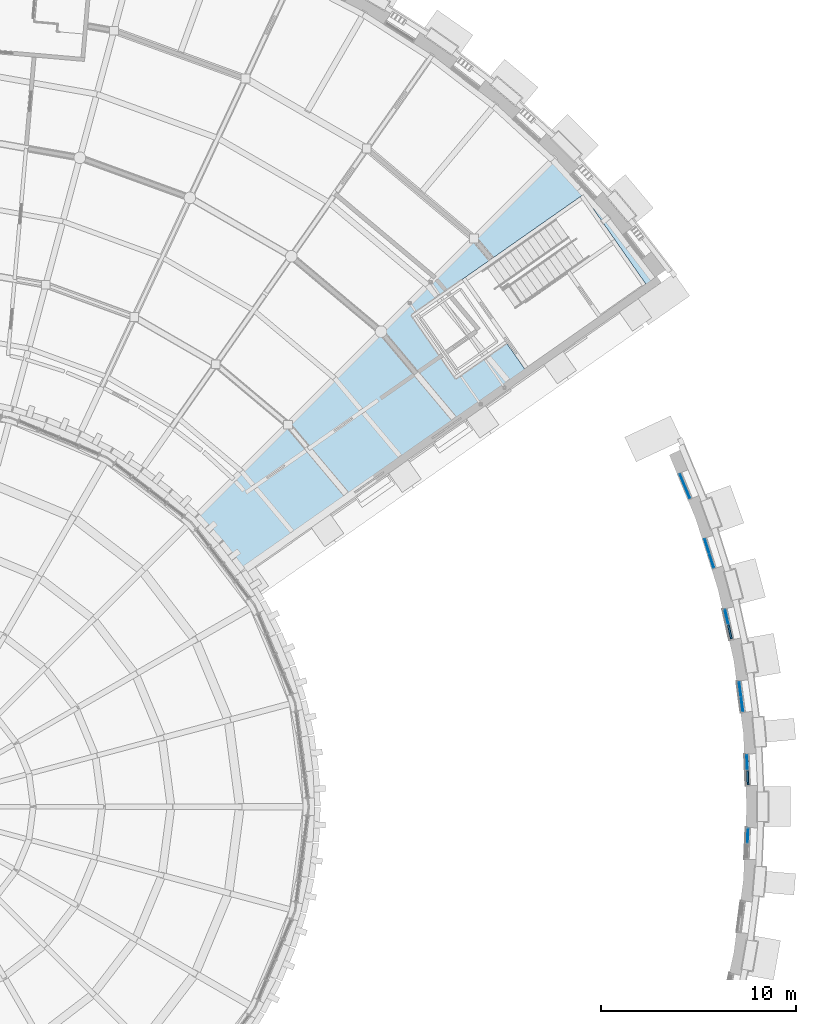
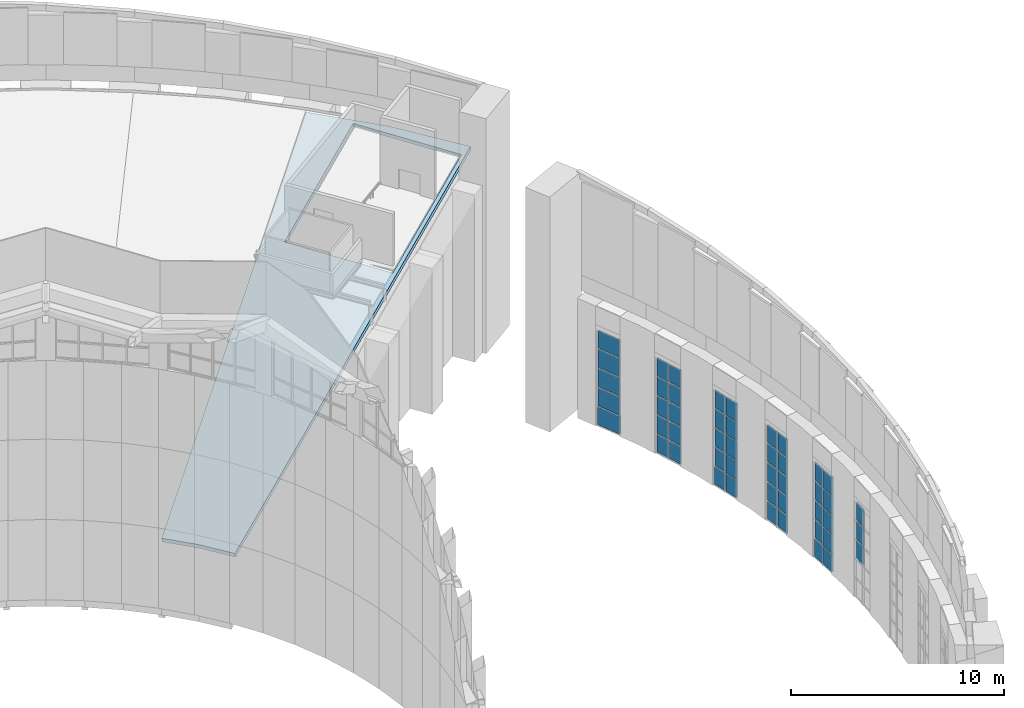
# One storey, part 46 of 82: 48 plates, 1 slab, 6 elements without a shape of their own.
"""IFC4 building model written with IfcOpenShell, lengths in metres."""

from ifc_helpers import new_model, si_unit, direction, frame, origin, origin_2d, place, context, subcontext, project, spatial, polyline, rectangle, outline, extrude, material, layer, layer_set, type_object, element, aggregate, save


model = new_model("IFC4")

# Units and contexts
model_context = context("Model", 3, precision=1e-05, world=origin(), true_north=direction((0.0, 1.0)))
body_context = subcontext(model_context, "Body", "Model", "MODEL_VIEW")
ifc_project = project(units=[si_unit("LENGTHUNIT", "METRE"), si_unit("AREAUNIT", "SQUARE_METRE"), si_unit("VOLUMEUNIT", "CUBIC_METRE"), si_unit("PLANEANGLEUNIT", "RADIAN"), si_unit("MASSUNIT", "GRAM", prefix="KILO")], contexts=[model_context])

# Site, building, storey
site_placement = place(None, origin())
site = spatial("IfcSite", under=ifc_project, at=site_placement, CompositionType="ELEMENT")
building_placement = place(site_placement, origin())
building = spatial("IfcBuilding", under=site, at=building_placement, Name="Volute Hill Aquarium", CompositionType="ELEMENT")
storey_placement = place(building_placement, frame((0.0, 0.0, 13.800048828125)))
storey = spatial("IfcBuildingStorey", under=building, at=storey_placement, Name="L04", CompositionType="ELEMENT", Elevation=13.800048828125)

# Curtain wall, plates
ifc_material_1 = material(Name="Aluminium", Category="aluminium")
ifc_layer_1 = layer(ifc_material_1, 0.25)
ifc_layer_set_1 = layer_set([ifc_layer_1], Name="Curtain wall niche S4 module 819")
curtain_wall_type_1 = type_object("IfcCurtainWallType", Name="Curtain wall niche S4 module 819", PredefinedType="NOTDEFINED", material=ifc_layer_set_1)
curtain_wall_1_placement = place(storey_placement, origin())
curtain_wall_1 = element("IfcCurtainWall", 1, at=curtain_wall_1_placement, inside=storey, type_object=curtain_wall_type_1, Name="Curtain wall CW S4 L04 5", PredefinedType="NOTDEFINED")
ifc_material_2 = material(Name="Glass, low-iron laminated", Category="glass")
ifc_layer_2 = layer(ifc_material_2, 0.0439453125)
ifc_layer_set_2 = layer_set([ifc_layer_2], Name="Curtain wall glass panel S4 44")
plate_type_1 = type_object("IfcPlateType", Name="Curtain wall glass panel S4 44", PredefinedType="CURTAIN_PANEL", material=ifc_layer_set_2)
plate_1_placement = place(storey_placement, frame((43.259521484375, -1.493896484375, 2.234130859375), z_axis=(0.0, 0.0, 1.0), x_axis=(0.043616644488, 0.999048341335, 0.0)))
plate_1 = element("IfcPlate", 2, at=plate_1_placement, type_object=plate_type_1, Name="CW panel 2.3", PredefinedType="CURTAIN_PANEL", context=body_context, shape_type="SweptSolid", body=[
    extrude(rectangle(XDim=0.728759765625, YDim=0.0439453125, at=origin_2d()), origin(), (0.0, 0.0, 1.0), 1.0419921875),
])
plate_2_placement = place(storey_placement, frame((43.259521484375, -1.493896484375, 3.336181640625), z_axis=(0.0, 0.0, 1.0), x_axis=(0.043616644488, 0.999048341335, 0.0)))
plate_2 = element("IfcPlate", 3, at=plate_2_placement, type_object=plate_type_1, Name="CW panel 2.4", PredefinedType="CURTAIN_PANEL", context=body_context, shape_type="SweptSolid", body=[
    extrude(rectangle(XDim=0.728759765625, YDim=0.0439453125, at=origin_2d()), origin(), (0.0, 0.0, 1.0), 1.0419921875),
])
plate_3_placement = place(storey_placement, frame((43.259521484375, -1.493896484375, 4.4384765625), z_axis=(0.0, 0.0, 1.0), x_axis=(0.043616644488, 0.999048341335, 0.0)))
plate_3 = element("IfcPlate", 4, at=plate_3_placement, type_object=plate_type_1, Name="CW panel 2.5", PredefinedType="CURTAIN_PANEL", context=body_context, shape_type="SweptSolid", body=[
    extrude(rectangle(XDim=0.728759765625, YDim=0.0439453125, at=origin_2d()), origin(), (0.0, 0.0, 1.0), 1.011962890625),
])
aggregate(curtain_wall_1, [plate_1, plate_2, plate_3])

curtain_wall_2_placement = place(storey_placement, origin())
curtain_wall_2 = element("IfcCurtainWall", 5, at=curtain_wall_2_placement, inside=storey, type_object=curtain_wall_type_1, Name="Curtain wall CW S4 L04 6", PredefinedType="NOTDEFINED")
plate_4_placement = place(storey_placement, frame((43.22509765625, 2.281982421875, 1.132080078125), z_axis=(0.0, 0.0, 1.0), x_axis=(-0.043622739916, 0.999048075201, 0.0)))
plate_4 = element("IfcPlate", 6, at=plate_4_placement, type_object=plate_type_1, Name="CW panel 2.2", PredefinedType="CURTAIN_PANEL", context=body_context, shape_type="SweptSolid", body=[
    extrude(rectangle(XDim=0.728759765625, YDim=0.0439453125, at=origin_2d()), origin(), (0.0, 0.0, 1.0), 1.0419921875),
])
plate_5_placement = place(storey_placement, frame((43.22509765625, 2.281982421875, 2.234130859375), z_axis=(0.0, 0.0, 1.0), x_axis=(-0.043622739916, 0.999048075201, 0.0)))
plate_5 = element("IfcPlate", 7, at=plate_5_placement, type_object=plate_type_1, Name="CW panel 2.3", PredefinedType="CURTAIN_PANEL", context=body_context, shape_type="SweptSolid", body=[
    extrude(rectangle(XDim=0.728759765625, YDim=0.0439453125, at=origin_2d()), origin(), (0.0, 0.0, 1.0), 1.0419921875),
])
plate_6_placement = place(storey_placement, frame((43.22509765625, 2.281982421875, 3.336181640625), z_axis=(0.0, 0.0, 1.0), x_axis=(-0.043622739916, 0.999048075201, 0.0)))
plate_6 = element("IfcPlate", 8, at=plate_6_placement, type_object=plate_type_1, Name="CW panel 2.4", PredefinedType="CURTAIN_PANEL", context=body_context, shape_type="SweptSolid", body=[
    extrude(rectangle(XDim=0.728759765625, YDim=0.0439453125, at=origin_2d()), origin(), (0.0, 0.0, 1.0), 1.0419921875),
])
plate_7_placement = place(storey_placement, frame((43.22509765625, 2.281982421875, 4.4384765625), z_axis=(0.0, 0.0, 1.0), x_axis=(-0.043622739916, 0.999048075201, 0.0)))
plate_7 = element("IfcPlate", 9, at=plate_7_placement, type_object=plate_type_1, Name="CW panel 2.5", PredefinedType="CURTAIN_PANEL", context=body_context, shape_type="SweptSolid", body=[
    extrude(rectangle(XDim=0.728759765625, YDim=0.0439453125, at=origin_2d()), origin(), (0.0, 0.0, 1.0), 1.011962890625),
])

curtain_wall_3_placement = place(storey_placement, origin())
curtain_wall_3 = element("IfcCurtainWall", 10, at=curtain_wall_3_placement, inside=storey, type_object=curtain_wall_type_1, Name="Curtain wall CW S4 L04 7", PredefinedType="NOTDEFINED")
plate_8_placement = place(storey_placement, frame((42.964599609375, 5.258544921875, 0.06005859375), z_axis=(0.0, 0.0, 1.0), x_axis=(-0.130515808269, 0.991446228392, 0.0)))
plate_8 = element("IfcPlate", 11, at=plate_8_placement, type_object=plate_type_1, Name="CW panel 1.1", PredefinedType="CURTAIN_PANEL", context=body_context, shape_type="SweptSolid", body=[
    extrude(rectangle(XDim=0.728759765625, YDim=0.0439453125, at=origin_2d()), origin(), (0.0, 0.0, 1.0), 1.011962890625),
])
plate_9_placement = place(storey_placement, frame((42.964599609375, 5.258544921875, 1.132080078125), z_axis=(0.0, 0.0, 1.0), x_axis=(-0.130515808269, 0.991446228392, 0.0)))
plate_9 = element("IfcPlate", 12, at=plate_9_placement, type_object=plate_type_1, Name="CW panel 1.2", PredefinedType="CURTAIN_PANEL", context=body_context, shape_type="SweptSolid", body=[
    extrude(rectangle(XDim=0.728759765625, YDim=0.0439453125, at=origin_2d()), origin(), (0.0, 0.0, 1.0), 1.0419921875),
])
plate_10_placement = place(storey_placement, frame((42.964599609375, 5.258544921875, 2.234130859375), z_axis=(0.0, 0.0, 1.0), x_axis=(-0.130515808269, 0.991446228392, 0.0)))
plate_10 = element("IfcPlate", 13, at=plate_10_placement, type_object=plate_type_1, Name="CW panel 1.3", PredefinedType="CURTAIN_PANEL", context=body_context, shape_type="SweptSolid", body=[
    extrude(rectangle(XDim=0.728759765625, YDim=0.0439453125, at=origin_2d()), origin(), (0.0, 0.0, 1.0), 1.0419921875),
])
plate_11_placement = place(storey_placement, frame((42.964599609375, 5.258544921875, 3.336181640625), z_axis=(0.0, 0.0, 1.0), x_axis=(-0.130515808269, 0.991446228392, 0.0)))
plate_11 = element("IfcPlate", 14, at=plate_11_placement, type_object=plate_type_1, Name="CW panel 1.4", PredefinedType="CURTAIN_PANEL", context=body_context, shape_type="SweptSolid", body=[
    extrude(rectangle(XDim=0.728759765625, YDim=0.0439453125, at=origin_2d()), origin(), (0.0, 0.0, 1.0), 1.0419921875),
])
plate_12_placement = place(storey_placement, frame((42.964599609375, 5.258544921875, 4.4384765625), z_axis=(0.0, 0.0, 1.0), x_axis=(-0.130515808269, 0.991446228392, 0.0)))
plate_12 = element("IfcPlate", 15, at=plate_12_placement, type_object=plate_type_1, Name="CW panel 1.5", PredefinedType="CURTAIN_PANEL", context=body_context, shape_type="SweptSolid", body=[
    extrude(rectangle(XDim=0.728759765625, YDim=0.0439453125, at=origin_2d()), origin(), (0.0, 0.0, 1.0), 1.011962890625),
])
plate_13_placement = place(storey_placement, frame((42.86181640625, 6.04052734375, 0.06005859375), z_axis=(0.0, 0.0, 1.0), x_axis=(-0.130515808269, 0.991446228392, 0.0)))
plate_13 = element("IfcPlate", 16, at=plate_13_placement, type_object=plate_type_1, Name="CW panel 2.1", PredefinedType="CURTAIN_PANEL", context=body_context, shape_type="SweptSolid", body=[
    extrude(rectangle(XDim=0.728759765625, YDim=0.0439453125, at=origin_2d()), origin(), (0.0, 0.0, 1.0), 1.011962890625),
])
plate_14_placement = place(storey_placement, frame((42.86181640625, 6.04052734375, 1.132080078125), z_axis=(0.0, 0.0, 1.0), x_axis=(-0.130515808269, 0.991446228392, 0.0)))
plate_14 = element("IfcPlate", 17, at=plate_14_placement, type_object=plate_type_1, Name="CW panel 2.2", PredefinedType="CURTAIN_PANEL", context=body_context, shape_type="SweptSolid", body=[
    extrude(rectangle(XDim=0.728759765625, YDim=0.0439453125, at=origin_2d()), origin(), (0.0, 0.0, 1.0), 1.0419921875),
])
plate_15_placement = place(storey_placement, frame((42.86181640625, 6.04052734375, 2.234130859375), z_axis=(0.0, 0.0, 1.0), x_axis=(-0.130515808269, 0.991446228392, 0.0)))
plate_15 = element("IfcPlate", 18, at=plate_15_placement, type_object=plate_type_1, Name="CW panel 2.3", PredefinedType="CURTAIN_PANEL", context=body_context, shape_type="SweptSolid", body=[
    extrude(rectangle(XDim=0.728759765625, YDim=0.0439453125, at=origin_2d()), origin(), (0.0, 0.0, 1.0), 1.0419921875),
])
plate_16_placement = place(storey_placement, frame((42.86181640625, 6.04052734375, 3.336181640625), z_axis=(0.0, 0.0, 1.0), x_axis=(-0.130515808269, 0.991446228392, 0.0)))
plate_16 = element("IfcPlate", 19, at=plate_16_placement, type_object=plate_type_1, Name="CW panel 2.4", PredefinedType="CURTAIN_PANEL", context=body_context, shape_type="SweptSolid", body=[
    extrude(rectangle(XDim=0.728759765625, YDim=0.0439453125, at=origin_2d()), origin(), (0.0, 0.0, 1.0), 1.0419921875),
])
plate_17_placement = place(storey_placement, frame((42.86181640625, 6.04052734375, 4.4384765625), z_axis=(0.0, 0.0, 1.0), x_axis=(-0.130515808269, 0.991446228392, 0.0)))
plate_17 = element("IfcPlate", 20, at=plate_17_placement, type_object=plate_type_1, Name="CW panel 2.5", PredefinedType="CURTAIN_PANEL", context=body_context, shape_type="SweptSolid", body=[
    extrude(rectangle(XDim=0.728759765625, YDim=0.0439453125, at=origin_2d()), origin(), (0.0, 0.0, 1.0), 1.011962890625),
])
aggregate(curtain_wall_3, [plate_8, plate_9, plate_10, plate_11, plate_12, plate_13, plate_14, plate_15, plate_16, plate_17])

curtain_wall_4_placement = place(storey_placement, origin())
curtain_wall_4 = element("IfcCurtainWall", 21, at=curtain_wall_4_placement, inside=storey, type_object=curtain_wall_type_1, Name="Curtain wall CW S4 L04 8", PredefinedType="NOTDEFINED")
plate_18_placement = place(storey_placement, frame((42.172119140625, 9.753173828125, 1.132080078125), z_axis=(0.0, 0.0, 1.0), x_axis=(-0.216436399795, 0.976296719673, 0.0)))
plate_18 = element("IfcPlate", 22, at=plate_18_placement, type_object=plate_type_1, Name="CW panel 2.2", PredefinedType="CURTAIN_PANEL", context=body_context, shape_type="SweptSolid", body=[
    extrude(rectangle(XDim=0.728759765625, YDim=0.0439453125, at=origin_2d()), origin(), (0.0, 0.0, 1.0), 1.0419921875),
])
plate_19_placement = place(storey_placement, frame((42.172119140625, 9.753173828125, 2.234130859375), z_axis=(0.0, 0.0, 1.0), x_axis=(-0.216436399795, 0.976296719673, 0.0)))
plate_19 = element("IfcPlate", 23, at=plate_19_placement, type_object=plate_type_1, Name="CW panel 2.3", PredefinedType="CURTAIN_PANEL", context=body_context, shape_type="SweptSolid", body=[
    extrude(rectangle(XDim=0.728759765625, YDim=0.0439453125, at=origin_2d()), origin(), (0.0, 0.0, 1.0), 1.0419921875),
])
plate_20_placement = place(storey_placement, frame((42.172119140625, 9.753173828125, 3.336181640625), z_axis=(0.0, 0.0, 1.0), x_axis=(-0.216436399795, 0.976296719673, 0.0)))
plate_20 = element("IfcPlate", 24, at=plate_20_placement, type_object=plate_type_1, Name="CW panel 2.4", PredefinedType="CURTAIN_PANEL", context=body_context, shape_type="SweptSolid", body=[
    extrude(rectangle(XDim=0.728759765625, YDim=0.0439453125, at=origin_2d()), origin(), (0.0, 0.0, 1.0), 1.0419921875),
])
plate_21_placement = place(storey_placement, frame((42.172119140625, 9.753173828125, 4.4384765625), z_axis=(0.0, 0.0, 1.0), x_axis=(-0.216436399795, 0.976296719673, 0.0)))
plate_21 = element("IfcPlate", 25, at=plate_21_placement, type_object=plate_type_1, Name="CW panel 2.5", PredefinedType="CURTAIN_PANEL", context=body_context, shape_type="SweptSolid", body=[
    extrude(rectangle(XDim=0.728759765625, YDim=0.0439453125, at=origin_2d()), origin(), (0.0, 0.0, 1.0), 1.011962890625),
])

curtain_wall_5_placement = place(storey_placement, origin())
curtain_wall_5 = element("IfcCurtainWall", 26, at=curtain_wall_5_placement, inside=storey, type_object=curtain_wall_type_1, Name="Curtain wall CW S4 L04 9", PredefinedType="NOTDEFINED")
plate_22_placement = place(storey_placement, frame((41.398681640625, 12.639404296875, 0.06005859375), z_axis=(0.0, 0.0, 1.0), x_axis=(-0.300709576466, 0.953715759869, 0.0)))
plate_22 = element("IfcPlate", 27, at=plate_22_placement, type_object=plate_type_1, Name="CW panel 1.1", PredefinedType="CURTAIN_PANEL", context=body_context, shape_type="SweptSolid", body=[
    extrude(rectangle(XDim=0.728759765625, YDim=0.0439453125, at=origin_2d()), origin(), (0.0, 0.0, 1.0), 1.011962890625),
])
plate_23_placement = place(storey_placement, frame((41.398681640625, 12.639404296875, 1.132080078125), z_axis=(0.0, 0.0, 1.0), x_axis=(-0.300709576466, 0.953715759869, 0.0)))
plate_23 = element("IfcPlate", 28, at=plate_23_placement, type_object=plate_type_1, Name="CW panel 1.2", PredefinedType="CURTAIN_PANEL", context=body_context, shape_type="SweptSolid", body=[
    extrude(rectangle(XDim=0.728759765625, YDim=0.0439453125, at=origin_2d()), origin(), (0.0, 0.0, 1.0), 1.0419921875),
])
plate_24_placement = place(storey_placement, frame((41.398681640625, 12.639404296875, 2.234130859375), z_axis=(0.0, 0.0, 1.0), x_axis=(-0.300709576466, 0.953715759869, 0.0)))
plate_24 = element("IfcPlate", 29, at=plate_24_placement, type_object=plate_type_1, Name="CW panel 1.3", PredefinedType="CURTAIN_PANEL", context=body_context, shape_type="SweptSolid", body=[
    extrude(rectangle(XDim=0.728759765625, YDim=0.0439453125, at=origin_2d()), origin(), (0.0, 0.0, 1.0), 1.0419921875),
])
plate_25_placement = place(storey_placement, frame((41.398681640625, 12.639404296875, 3.336181640625), z_axis=(0.0, 0.0, 1.0), x_axis=(-0.300709576466, 0.953715759869, 0.0)))
plate_25 = element("IfcPlate", 30, at=plate_25_placement, type_object=plate_type_1, Name="CW panel 1.4", PredefinedType="CURTAIN_PANEL", context=body_context, shape_type="SweptSolid", body=[
    extrude(rectangle(XDim=0.728759765625, YDim=0.0439453125, at=origin_2d()), origin(), (0.0, 0.0, 1.0), 1.0419921875),
])
plate_26_placement = place(storey_placement, frame((41.398681640625, 12.639404296875, 4.4384765625), z_axis=(0.0, 0.0, 1.0), x_axis=(-0.300709576466, 0.953715759869, 0.0)))
plate_26 = element("IfcPlate", 31, at=plate_26_placement, type_object=plate_type_1, Name="CW panel 1.5", PredefinedType="CURTAIN_PANEL", context=body_context, shape_type="SweptSolid", body=[
    extrude(rectangle(XDim=0.728759765625, YDim=0.0439453125, at=origin_2d()), origin(), (0.0, 0.0, 1.0), 1.011962890625),
])
plate_27_placement = place(storey_placement, frame((41.16162109375, 13.391845703125, 0.06005859375), z_axis=(0.0, 0.0, 1.0), x_axis=(-0.300709576466, 0.953715759869, 0.0)))
plate_27 = element("IfcPlate", 32, at=plate_27_placement, type_object=plate_type_1, Name="CW panel 2.1", PredefinedType="CURTAIN_PANEL", context=body_context, shape_type="SweptSolid", body=[
    extrude(rectangle(XDim=0.728759765625, YDim=0.0439453125, at=origin_2d()), origin(), (0.0, 0.0, 1.0), 1.011962890625),
])
plate_28_placement = place(storey_placement, frame((41.16162109375, 13.391845703125, 1.132080078125), z_axis=(0.0, 0.0, 1.0), x_axis=(-0.300709576466, 0.953715759869, 0.0)))
plate_28 = element("IfcPlate", 33, at=plate_28_placement, type_object=plate_type_1, Name="CW panel 2.2", PredefinedType="CURTAIN_PANEL", context=body_context, shape_type="SweptSolid", body=[
    extrude(rectangle(XDim=0.728759765625, YDim=0.0439453125, at=origin_2d()), origin(), (0.0, 0.0, 1.0), 1.0419921875),
])
plate_29_placement = place(storey_placement, frame((41.16162109375, 13.391845703125, 2.234130859375), z_axis=(0.0, 0.0, 1.0), x_axis=(-0.300709576466, 0.953715759869, 0.0)))
plate_29 = element("IfcPlate", 34, at=plate_29_placement, type_object=plate_type_1, Name="CW panel 2.3", PredefinedType="CURTAIN_PANEL", context=body_context, shape_type="SweptSolid", body=[
    extrude(rectangle(XDim=0.728759765625, YDim=0.0439453125, at=origin_2d()), origin(), (0.0, 0.0, 1.0), 1.0419921875),
])
plate_30_placement = place(storey_placement, frame((41.16162109375, 13.391845703125, 3.336181640625), z_axis=(0.0, 0.0, 1.0), x_axis=(-0.300709576466, 0.953715759869, 0.0)))
plate_30 = element("IfcPlate", 35, at=plate_30_placement, type_object=plate_type_1, Name="CW panel 2.4", PredefinedType="CURTAIN_PANEL", context=body_context, shape_type="SweptSolid", body=[
    extrude(rectangle(XDim=0.728759765625, YDim=0.0439453125, at=origin_2d()), origin(), (0.0, 0.0, 1.0), 1.0419921875),
])
plate_31_placement = place(storey_placement, frame((41.16162109375, 13.391845703125, 4.4384765625), z_axis=(0.0, 0.0, 1.0), x_axis=(-0.300709576466, 0.953715759869, 0.0)))
plate_31 = element("IfcPlate", 36, at=plate_31_placement, type_object=plate_type_1, Name="CW panel 2.5", PredefinedType="CURTAIN_PANEL", context=body_context, shape_type="SweptSolid", body=[
    extrude(rectangle(XDim=0.728759765625, YDim=0.0439453125, at=origin_2d()), origin(), (0.0, 0.0, 1.0), 1.011962890625),
])
aggregate(curtain_wall_5, [plate_22, plate_23, plate_24, plate_25, plate_26, plate_27, plate_28, plate_29, plate_30, plate_31])

ifc_material_3 = material(Name="Aluminium", Category="aluminium")
ifc_layer_3 = layer(ifc_material_3, 0.25)
ifc_layer_set_3 = layer_set([ifc_layer_3], Name="Curtain wall niche S4 module 1437")
curtain_wall_type_2 = type_object("IfcCurtainWallType", Name="Curtain wall niche S4 module 1437", PredefinedType="NOTDEFINED", material=ifc_layer_set_3)
curtain_wall_6_placement = place(storey_placement, origin())
curtain_wall_6 = element("IfcCurtainWall", 37, at=curtain_wall_6_placement, inside=storey, type_object=curtain_wall_type_2, Name="Curtain wall CW S4 L04 10", PredefinedType="NOTDEFINED")
plate_32_placement = place(storey_placement, frame((40.027099609375, 16.471435546875, 1.132568359375), z_axis=(0.0, 0.0, 1.0), x_axis=(-0.38269714514, 0.923873852375, 0.0)))
plate_32 = element("IfcPlate", 38, at=plate_32_placement, type_object=plate_type_1, Name="CW panel 1.2", PredefinedType="CURTAIN_PANEL", context=body_context, shape_type="SweptSolid", body=[
    extrude(rectangle(XDim=1.317138671875, YDim=0.0439453125, at=origin_2d()), origin(), (0.0, 0.0, 1.0), 1.04248046875),
])
plate_33_placement = place(storey_placement, frame((40.027099609375, 16.471435546875, 2.235107421875), z_axis=(0.0, 0.0, 1.0), x_axis=(-0.38269714514, 0.923873852375, 0.0)))
plate_33 = element("IfcPlate", 39, at=plate_33_placement, type_object=plate_type_1, Name="CW panel 1.3", PredefinedType="CURTAIN_PANEL", context=body_context, shape_type="SweptSolid", body=[
    extrude(rectangle(XDim=1.317138671875, YDim=0.0439453125, at=origin_2d()), origin(), (0.0, 0.0, 1.0), 1.04248046875),
])
plate_34_placement = place(storey_placement, frame((40.027099609375, 16.471435546875, 3.337646484375), z_axis=(0.0, 0.0, 1.0), x_axis=(-0.38269714514, 0.923873852375, 0.0)))
plate_34 = element("IfcPlate", 40, at=plate_34_placement, type_object=plate_type_1, Name="CW panel 1.4", PredefinedType="CURTAIN_PANEL", context=body_context, shape_type="SweptSolid", body=[
    extrude(rectangle(XDim=1.317138671875, YDim=0.0439453125, at=origin_2d()), origin(), (0.0, 0.0, 1.0), 1.04248046875),
])
plate_35_placement = place(storey_placement, frame((40.027099609375, 16.471435546875, 4.43994140625), z_axis=(0.0, 0.0, 1.0), x_axis=(-0.38269714514, 0.923873852375, 0.0)))
plate_35 = element("IfcPlate", 41, at=plate_35_placement, type_object=plate_type_1, Name="CW panel 1.5", PredefinedType="CURTAIN_PANEL", context=body_context, shape_type="SweptSolid", body=[
    extrude(rectangle(XDim=1.317138671875, YDim=0.0439453125, at=origin_2d()), origin(), (0.0, 0.0, 1.0), 1.012451171875),
])

# Plate
ifc_material_4 = material(Name="Aluminium", Category="aluminium")
ifc_layer_4 = layer(ifc_material_4, 0.10009765625)
ifc_layer_set_4 = layer_set([ifc_layer_4], Name="Curtain wall insulated spandrel panel 100")
plate_type_2 = type_object("IfcPlateType", Name="Curtain wall insulated spandrel panel 100", PredefinedType="CURTAIN_PANEL", material=ifc_layer_set_4)
plate_36_placement = place(storey_placement, frame((43.259521484375, 1.494140625, 0.06005859375), z_axis=(0.0, 0.0, 1.0), x_axis=(-0.043622739916, 0.999048075201, 0.0)))
plate_36 = element("IfcPlate", 42, at=plate_36_placement, type_object=plate_type_2, Name="CW panel 1.1", PredefinedType="CURTAIN_PANEL", context=body_context, shape_type="SweptSolid", body=[
    extrude(rectangle(XDim=0.728759765625, YDim=0.10009765625, at=origin_2d()), origin(), (0.0, 0.0, 1.0), 1.011962890625),
])

plate_37_placement = place(storey_placement, frame((43.259521484375, 1.494140625, 1.132080078125), z_axis=(0.0, 0.0, 1.0), x_axis=(-0.043622739916, 0.999048075201, 0.0)))
plate_37 = element("IfcPlate", 43, at=plate_37_placement, type_object=plate_type_2, Name="CW panel 1.2", PredefinedType="CURTAIN_PANEL", context=body_context, shape_type="SweptSolid", body=[
    extrude(rectangle(XDim=0.728759765625, YDim=0.10009765625, at=origin_2d()), origin(), (0.0, 0.0, 1.0), 1.0419921875),
])

plate_38_placement = place(storey_placement, frame((43.259521484375, 1.494140625, 2.234130859375), z_axis=(0.0, 0.0, 1.0), x_axis=(-0.043622739916, 0.999048075201, 0.0)))
plate_38 = element("IfcPlate", 44, at=plate_38_placement, type_object=plate_type_2, Name="CW panel 1.3", PredefinedType="CURTAIN_PANEL", context=body_context, shape_type="SweptSolid", body=[
    extrude(rectangle(XDim=0.728759765625, YDim=0.10009765625, at=origin_2d()), origin(), (0.0, 0.0, 1.0), 1.0419921875),
])

plate_39_placement = place(storey_placement, frame((43.259521484375, 1.494140625, 3.336181640625), z_axis=(0.0, 0.0, 1.0), x_axis=(-0.043622739916, 0.999048075201, 0.0)))
plate_39 = element("IfcPlate", 45, at=plate_39_placement, type_object=plate_type_2, Name="CW panel 1.4", PredefinedType="CURTAIN_PANEL", context=body_context, shape_type="SweptSolid", body=[
    extrude(rectangle(XDim=0.728759765625, YDim=0.10009765625, at=origin_2d()), origin(), (0.0, 0.0, 1.0), 1.0419921875),
])

plate_40_placement = place(storey_placement, frame((43.259521484375, 1.494140625, 4.4384765625), z_axis=(0.0, 0.0, 1.0), x_axis=(-0.043622739916, 0.999048075201, 0.0)))
plate_40 = element("IfcPlate", 46, at=plate_40_placement, type_object=plate_type_2, Name="CW panel 1.5", PredefinedType="CURTAIN_PANEL", context=body_context, shape_type="SweptSolid", body=[
    extrude(rectangle(XDim=0.728759765625, YDim=0.10009765625, at=origin_2d()), origin(), (0.0, 0.0, 1.0), 1.011962890625),
])

plate_41_placement = place(storey_placement, frame((43.22509765625, 2.281982421875, 0.06005859375), z_axis=(0.0, 0.0, 1.0), x_axis=(-0.043622739916, 0.999048075201, 0.0)))
plate_41 = element("IfcPlate", 47, at=plate_41_placement, type_object=plate_type_2, Name="CW panel 2.1", PredefinedType="CURTAIN_PANEL", context=body_context, shape_type="SweptSolid", body=[
    extrude(rectangle(XDim=0.728759765625, YDim=0.10009765625, at=origin_2d()), origin(), (0.0, 0.0, 1.0), 1.011962890625),
])

aggregate(curtain_wall_2, [plate_36, plate_37, plate_38, plate_39, plate_40, plate_41, plate_4, plate_5, plate_6, plate_7])

plate_42_placement = place(storey_placement, frame((42.3427734375, 8.983154296875, 0.06005859375), z_axis=(0.0, 0.0, 1.0), x_axis=(-0.216436399795, 0.976296719673, 0.0)))
plate_42 = element("IfcPlate", 48, at=plate_42_placement, type_object=plate_type_2, Name="CW panel 1.1", PredefinedType="CURTAIN_PANEL", context=body_context, shape_type="SweptSolid", body=[
    extrude(rectangle(XDim=0.728759765625, YDim=0.10009765625, at=origin_2d()), origin(), (0.0, 0.0, 1.0), 1.011962890625),
])

plate_43_placement = place(storey_placement, frame((42.3427734375, 8.983154296875, 1.132080078125), z_axis=(0.0, 0.0, 1.0), x_axis=(-0.216436399795, 0.976296719673, 0.0)))
plate_43 = element("IfcPlate", 49, at=plate_43_placement, type_object=plate_type_2, Name="CW panel 1.2", PredefinedType="CURTAIN_PANEL", context=body_context, shape_type="SweptSolid", body=[
    extrude(rectangle(XDim=0.728759765625, YDim=0.10009765625, at=origin_2d()), origin(), (0.0, 0.0, 1.0), 1.0419921875),
])

plate_44_placement = place(storey_placement, frame((42.3427734375, 8.983154296875, 2.234130859375), z_axis=(0.0, 0.0, 1.0), x_axis=(-0.216436399795, 0.976296719673, 0.0)))
plate_44 = element("IfcPlate", 50, at=plate_44_placement, type_object=plate_type_2, Name="CW panel 1.3", PredefinedType="CURTAIN_PANEL", context=body_context, shape_type="SweptSolid", body=[
    extrude(rectangle(XDim=0.728759765625, YDim=0.10009765625, at=origin_2d()), origin(), (0.0, 0.0, 1.0), 1.0419921875),
])

plate_45_placement = place(storey_placement, frame((42.3427734375, 8.983154296875, 3.336181640625), z_axis=(0.0, 0.0, 1.0), x_axis=(-0.216436399795, 0.976296719673, 0.0)))
plate_45 = element("IfcPlate", 51, at=plate_45_placement, type_object=plate_type_2, Name="CW panel 1.4", PredefinedType="CURTAIN_PANEL", context=body_context, shape_type="SweptSolid", body=[
    extrude(rectangle(XDim=0.728759765625, YDim=0.10009765625, at=origin_2d()), origin(), (0.0, 0.0, 1.0), 1.0419921875),
])

plate_46_placement = place(storey_placement, frame((42.3427734375, 8.983154296875, 4.4384765625), z_axis=(0.0, 0.0, 1.0), x_axis=(-0.216436399795, 0.976296719673, 0.0)))
plate_46 = element("IfcPlate", 52, at=plate_46_placement, type_object=plate_type_2, Name="CW panel 1.5", PredefinedType="CURTAIN_PANEL", context=body_context, shape_type="SweptSolid", body=[
    extrude(rectangle(XDim=0.728759765625, YDim=0.10009765625, at=origin_2d()), origin(), (0.0, 0.0, 1.0), 1.011962890625),
])

plate_47_placement = place(storey_placement, frame((42.172119140625, 9.753173828125, 0.06005859375), z_axis=(0.0, 0.0, 1.0), x_axis=(-0.216436399795, 0.976296719673, 0.0)))
plate_47 = element("IfcPlate", 53, at=plate_47_placement, type_object=plate_type_2, Name="CW panel 2.1", PredefinedType="CURTAIN_PANEL", context=body_context, shape_type="SweptSolid", body=[
    extrude(rectangle(XDim=0.728759765625, YDim=0.10009765625, at=origin_2d()), origin(), (0.0, 0.0, 1.0), 1.011962890625),
])

aggregate(curtain_wall_4, [plate_42, plate_43, plate_44, plate_45, plate_46, plate_47, plate_18, plate_19, plate_20, plate_21])

plate_48_placement = place(storey_placement, frame((40.027099609375, 16.471435546875, 0.06005859375), z_axis=(0.0, 0.0, 1.0), x_axis=(-0.38269714514, 0.923873852375, 0.0)))
plate_48 = element("IfcPlate", 54, at=plate_48_placement, type_object=plate_type_2, Name="CW panel 1.1", PredefinedType="CURTAIN_PANEL", context=body_context, shape_type="SweptSolid", body=[
    extrude(rectangle(XDim=1.317138671875, YDim=0.10009765625, at=origin_2d()), origin(), (0.0, 0.0, 1.0), 1.012451171875),
])

aggregate(curtain_wall_6, [plate_48, plate_32, plate_33, plate_34, plate_35])

# Slab
ifc_material_5 = material(Name="Concrete C30/37", Category="concrete")
ifc_layer_5 = layer(ifc_material_5, 0.25)
ifc_layer_set_5 = layer_set([ifc_layer_5], Name="Roof slab 250 C30/37")
slab_type = type_object("IfcSlabType", Name="Roof slab 250 C30/37", PredefinedType="ROOF", material=ifc_layer_set_5)
slab_placement = place(storey_placement, frame((38.623046875, 27.044189453125, 10.32275390625), z_axis=(-0.191415736098, -0.160623210303, 0.968276923347), x_axis=(-0.608763097811, 0.793272320727, 0.011247929244)))
element("IfcSlab", 55, at=slab_placement, inside=storey, type_object=slab_type, Name="rf/S5/L04/1", PredefinedType="ROOF", context=body_context, shape_type="SweptSolid", body=[
    extrude(outline(polyline([(0.0, 0.0), (4.113546580007054, -5.0306980803327406e-17), (8.21043244151224, 0.3698538746506985), (4.723059818938356, 27.144232074936944), (2.8983881123523334, 26.979254483791696), (1.0663236518852914, 26.97936132417126), (0.0, 0.0)]), holes=[polyline([(0.22422468219986075, 0.6101026113768004), (5.820144339388877, 0.35756772289360483), (6.129902947183829, 8.198720641020577), (0.5341769599949907, 8.451112146147146), (0.22422468219986075, 0.6101026113768004)])]), origin(), (0.0, 0.0, -1.0), 0.25),
])

save(model, "model.ifc")
